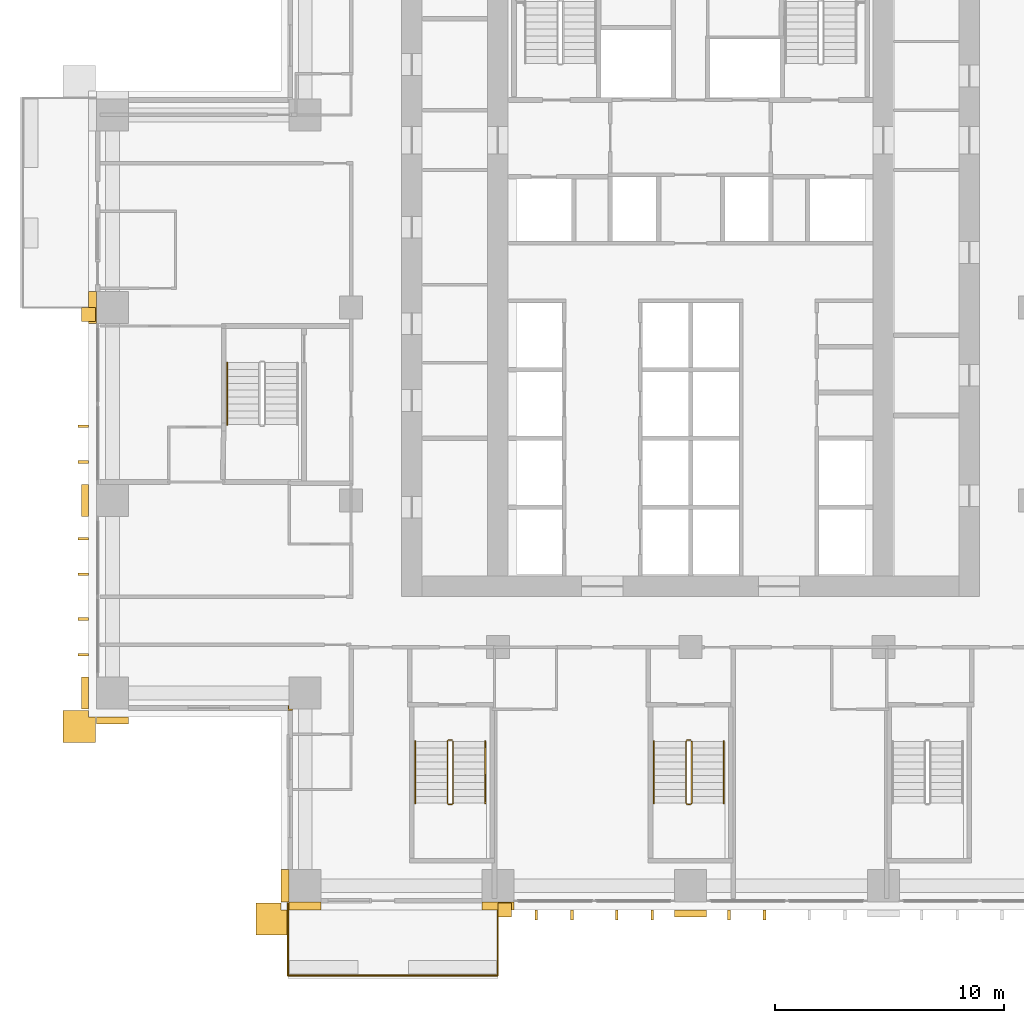
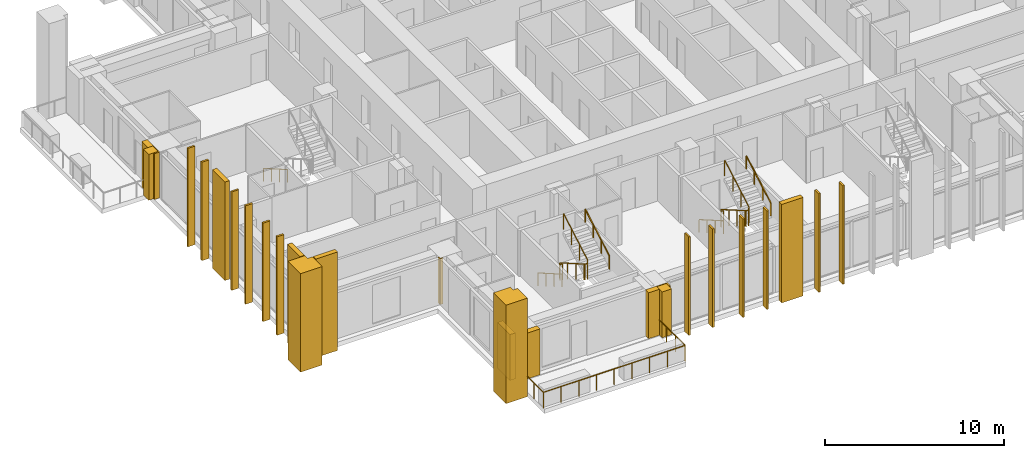
# One storey, part 13 of 17: 25 coverings, 8 railings.
"""IFC4 building model written with IfcOpenShell, lengths in metres."""

from ifc_helpers import new_model, si_unit, direction, frame, origin, origin_2d, place, context, subcontext, project, spatial, polyline, rectangle, outline, extrude, material, layer, layer_set, type_object, element, save


model = new_model("IFC4")

# Units and contexts
model_context = context("Model", 3, precision=1e-05, world=origin(), true_north=direction((0.0, 1.0)))
body_context = subcontext(model_context, "Body", "Model", "MODEL_VIEW")
ifc_project = project(units=[si_unit("LENGTHUNIT", "METRE"), si_unit("AREAUNIT", "SQUARE_METRE"), si_unit("VOLUMEUNIT", "CUBIC_METRE"), si_unit("PLANEANGLEUNIT", "RADIAN"), si_unit("MASSUNIT", "GRAM", prefix="KILO")], contexts=[model_context])

# Site, building, storey
site_placement = place(None, origin())
site = spatial("IfcSite", under=ifc_project, at=site_placement, CompositionType="ELEMENT")
building_placement = place(site_placement, origin())
building = spatial("IfcBuilding", under=site, at=building_placement, Name="Vermilion Ogive Tower", CompositionType="ELEMENT")
storey_placement = place(building_placement, frame((0.0, 0.0, 69.0)))
storey = spatial("IfcBuildingStorey", under=building, at=storey_placement, Name="L16", CompositionType="ELEMENT", Elevation=69.0)

# Railing
ifc_material_1 = material(Name="Stainless steel and glass", Category="steel")
railing_type_1 = type_object("IfcRailingType", Name="Balcony guard", PredefinedType="GUARDRAIL", material=ifc_material_1)
railing_1_placement = place(storey_placement, frame((-17.550048828125, -21.75, -0.0400390625)))
element("IfcRailing", 1, at=railing_1_placement, inside=storey, type_object=railing_type_1, Name="Guard S01", PredefinedType="GUARDRAIL", context=body_context, shape_type="SweptSolid", body=[
    extrude(rectangle(XDim=0.048095703125, YDim=0.048095703125, at=origin_2d()), frame((0.0, 0.0, 1.076171875), z_axis=(0.0, -1.0, 0.0), x_axis=(1.0, 0.0, 0.0)), (0.0, 0.0, 1.0), 3.159912109375),
    extrude(rectangle(XDim=0.048095703125, YDim=0.048095703125, at=origin_2d()), frame((0.0, -3.159912109375, 1.076171875), z_axis=(1.0, 0.0, 0.0), x_axis=(0.0, 1.0, 0.0)), (0.0, 0.0, 1.0), 9.150146484375),
    extrude(rectangle(XDim=0.048095703125, YDim=0.048095703125, at=origin_2d()), frame((9.150146484375, -3.159912109375, 1.076171875), z_axis=(0.0, 1.0, 0.0), x_axis=(-1.0, 0.0, 0.0)), (0.0, 0.0, 1.0), 3.159912109375),
    extrude(rectangle(XDim=0.0419921875, YDim=0.0419921875, at=origin_2d()), origin(), (0.0, 0.0, 1.0), 1.052001953125),
    extrude(rectangle(XDim=0.0419921875, YDim=0.0419921875, at=origin_2d()), frame((0.0, -1.05322265625, 0.0)), (0.0, 0.0, 1.0), 1.052001953125),
    extrude(rectangle(XDim=0.0419921875, YDim=0.0419921875, at=origin_2d()), frame((0.0, -2.106689453125, 0.0)), (0.0, 0.0, 1.0), 1.052001953125),
    extrude(rectangle(XDim=0.0419921875, YDim=0.0419921875, at=origin_2d()), frame((0.0, -3.159912109375, 0.0)), (0.0, 0.0, 1.0), 1.052001953125),
    extrude(rectangle(XDim=0.0419921875, YDim=0.0419921875, at=origin_2d()), frame((1.143798828125, -3.159912109375, 0.0)), (0.0, 0.0, 1.0), 1.052001953125),
    extrude(rectangle(XDim=0.0419921875, YDim=0.0419921875, at=origin_2d()), frame((2.28759765625, -3.159912109375, 0.0)), (0.0, 0.0, 1.0), 1.052001953125),
    extrude(rectangle(XDim=0.0419921875, YDim=0.0419921875, at=origin_2d()), frame((3.431396484375, -3.159912109375, 0.0)), (0.0, 0.0, 1.0), 1.052001953125),
    extrude(rectangle(XDim=0.0419921875, YDim=0.0419921875, at=origin_2d()), frame((4.5751953125, -3.159912109375, 0.0)), (0.0, 0.0, 1.0), 1.052001953125),
    extrude(rectangle(XDim=0.0419921875, YDim=0.0419921875, at=origin_2d()), frame((5.71875, -3.159912109375, 0.0)), (0.0, 0.0, 1.0), 1.052001953125),
    extrude(rectangle(XDim=0.0419921875, YDim=0.0419921875, at=origin_2d()), frame((6.862548828125, -3.159912109375, 0.0)), (0.0, 0.0, 1.0), 1.052001953125),
    extrude(rectangle(XDim=0.0419921875, YDim=0.0419921875, at=origin_2d()), frame((8.00634765625, -3.159912109375, 0.0)), (0.0, 0.0, 1.0), 1.052001953125),
    extrude(rectangle(XDim=0.0419921875, YDim=0.0419921875, at=origin_2d()), frame((9.150146484375, -3.159912109375, 0.0)), (0.0, 0.0, 1.0), 1.052001953125),
    extrude(rectangle(XDim=0.0419921875, YDim=0.0419921875, at=origin_2d()), frame((9.150146484375, -2.106689453125, 0.0)), (0.0, 0.0, 1.0), 1.052001953125),
    extrude(rectangle(XDim=0.0419921875, YDim=0.0419921875, at=origin_2d()), frame((9.150146484375, -1.05322265625, 0.0)), (0.0, 0.0, 1.0), 1.052001953125),
    extrude(rectangle(XDim=0.0419921875, YDim=0.0419921875, at=origin_2d()), frame((9.150146484375, 0.0, 0.0)), (0.0, 0.0, 1.0), 1.052001953125),
])

# Coverings
ifc_material_2 = material(Name="Glazed ceramic screen")
ifc_layer = layer(ifc_material_2, 0.14990234375)
ifc_layer_set = layer_set([ifc_layer], Name="Ceramic solar screen fin")
covering_type_1 = type_object("IfcCoveringType", Name="Ceramic solar screen fin", PredefinedType="CLADDING", material=ifc_layer_set)
covering_1_placement = place(storey_placement, frame((0.0, 0.0, -0.320068359375)))
element("IfcCovering", 2, at=covering_1_placement, inside=storey, type_object=covering_type_1, Name="Solar screen blade S981", PredefinedType="CLADDING", context=body_context, shape_type="SweptSolid", body=[
    extrude(outline(polyline([(-6.784912109375, -22.5), (-6.6650390625, -22.5), (-6.6650390625, -22.050048828125), (-6.784912109375, -22.050048828125), (-6.784912109375, -22.5)])), origin(), (0.0, 0.0, 1.0), 6.719970703125),
])
covering_2_placement = place(storey_placement, frame((0.0, 0.0, -0.320068359375)))
element("IfcCovering", 3, at=covering_2_placement, inside=storey, type_object=covering_type_1, Name="Solar screen blade S982", PredefinedType="CLADDING", context=body_context, shape_type="SweptSolid", body=[
    extrude(outline(polyline([(-5.235107421875, -22.5), (-5.114990234375, -22.5), (-5.114990234375, -22.050048828125), (-5.235107421875, -22.050048828125), (-5.235107421875, -22.5)])), origin(), (0.0, 0.0, 1.0), 6.719970703125),
])
covering_3_placement = place(storey_placement, frame((0.0, 0.0, -0.320068359375)))
element("IfcCovering", 4, at=covering_3_placement, inside=storey, type_object=covering_type_1, Name="Solar screen blade S991", PredefinedType="CLADDING", context=body_context, shape_type="SweptSolid", body=[
    extrude(outline(polyline([(-3.284912109375, -22.5), (-3.1650390625, -22.5), (-3.1650390625, -22.050048828125), (-3.284912109375, -22.050048828125), (-3.284912109375, -22.5)])), origin(), (0.0, 0.0, 1.0), 6.719970703125),
])
covering_4_placement = place(storey_placement, frame((0.0, 0.0, -0.320068359375)))
element("IfcCovering", 5, at=covering_4_placement, inside=storey, type_object=covering_type_1, Name="Solar screen blade S992", PredefinedType="CLADDING", context=body_context, shape_type="SweptSolid", body=[
    extrude(outline(polyline([(-1.735107421875, -22.5), (-1.614990234375, -22.5), (-1.614990234375, -22.050048828125), (-1.735107421875, -22.050048828125), (-1.735107421875, -22.5)])), origin(), (0.0, 0.0, 1.0), 6.719970703125),
])
covering_5_placement = place(storey_placement, frame((0.0, 0.0, -0.320068359375)))
element("IfcCovering", 6, at=covering_5_placement, inside=storey, type_object=covering_type_1, Name="Solar screen blade S001", PredefinedType="CLADDING", context=body_context, shape_type="SweptSolid", body=[
    extrude(outline(polyline([(1.614990234375, -22.5), (1.735107421875, -22.5), (1.735107421875, -22.050048828125), (1.614990234375, -22.050048828125), (1.614990234375, -22.5)])), origin(), (0.0, 0.0, 1.0), 6.719970703125),
])
covering_6_placement = place(storey_placement, frame((0.0, 0.0, -0.320068359375)))
element("IfcCovering", 7, at=covering_6_placement, inside=storey, type_object=covering_type_1, Name="Solar screen blade S002", PredefinedType="CLADDING", context=body_context, shape_type="SweptSolid", body=[
    extrude(outline(polyline([(3.1650390625, -22.5), (3.284912109375, -22.5), (3.284912109375, -22.050048828125), (3.1650390625, -22.050048828125), (3.1650390625, -22.5)])), origin(), (0.0, 0.0, 1.0), 6.719970703125),
])
covering_7_placement = place(storey_placement, frame((0.0, 0.0, -0.320068359375)))
element("IfcCovering", 8, at=covering_7_placement, inside=storey, type_object=covering_type_1, Name="Solar screen blade W991", PredefinedType="CLADDING", context=body_context, shape_type="SweptSolid", body=[
    extrude(outline(polyline([(-26.699951171875, -0.9150390625), (-26.699951171875, -1.034912109375), (-26.25, -1.034912109375), (-26.25, -0.9150390625), (-26.699951171875, -0.9150390625)])), origin(), (0.0, 0.0, 1.0), 6.719970703125),
])
covering_8_placement = place(storey_placement, frame((0.0, 0.0, -0.320068359375)))
element("IfcCovering", 9, at=covering_8_placement, inside=storey, type_object=covering_type_1, Name="Solar screen blade W992", PredefinedType="CLADDING", context=body_context, shape_type="SweptSolid", body=[
    extrude(outline(polyline([(-26.699951171875, -2.465087890625), (-26.699951171875, -2.5849609375), (-26.25, -2.5849609375), (-26.25, -2.465087890625), (-26.699951171875, -2.465087890625)])), origin(), (0.0, 0.0, 1.0), 6.719970703125),
])
covering_9_placement = place(storey_placement, frame((0.0, 0.0, -0.320068359375)))
element("IfcCovering", 10, at=covering_9_placement, inside=storey, type_object=covering_type_1, Name="Solar screen blade W971", PredefinedType="CLADDING", context=body_context, shape_type="SweptSolid", body=[
    extrude(outline(polyline([(-26.699951171875, -9.31494140625), (-26.699951171875, -9.43505859375), (-26.25, -9.43505859375), (-26.25, -9.31494140625), (-26.699951171875, -9.31494140625)])), origin(), (0.0, 0.0, 1.0), 6.719970703125),
])
covering_10_placement = place(storey_placement, frame((0.0, 0.0, -0.320068359375)))
element("IfcCovering", 11, at=covering_10_placement, inside=storey, type_object=covering_type_1, Name="Solar screen blade W972", PredefinedType="CLADDING", context=body_context, shape_type="SweptSolid", body=[
    extrude(outline(polyline([(-26.699951171875, -10.864990234375), (-26.699951171875, -10.985107421875), (-26.25, -10.985107421875), (-26.25, -10.864990234375), (-26.699951171875, -10.864990234375)])), origin(), (0.0, 0.0, 1.0), 6.719970703125),
])
covering_11_placement = place(storey_placement, frame((0.0, 0.0, -0.320068359375)))
element("IfcCovering", 12, at=covering_11_placement, inside=storey, type_object=covering_type_1, Name="Solar screen blade W981", PredefinedType="CLADDING", context=body_context, shape_type="SweptSolid", body=[
    extrude(outline(polyline([(-26.699951171875, -5.81494140625), (-26.699951171875, -5.93505859375), (-26.25, -5.93505859375), (-26.25, -5.81494140625), (-26.699951171875, -5.81494140625)])), origin(), (0.0, 0.0, 1.0), 6.719970703125),
])
covering_12_placement = place(storey_placement, frame((0.0, 0.0, -0.320068359375)))
element("IfcCovering", 13, at=covering_12_placement, inside=storey, type_object=covering_type_1, Name="Solar screen blade W982", PredefinedType="CLADDING", context=body_context, shape_type="SweptSolid", body=[
    extrude(outline(polyline([(-26.699951171875, -7.364990234375), (-26.699951171875, -7.485107421875), (-26.25, -7.485107421875), (-26.25, -7.364990234375), (-26.699951171875, -7.364990234375)])), origin(), (0.0, 0.0, 1.0), 6.719970703125),
])

# Railings
ifc_material_3 = material(Name="Steel S355 painted", Category="steel")
railing_type_2 = type_object("IfcRailingType", Name="Stair guard 1100", PredefinedType="GUARDRAIL", material=ifc_material_3)
railing_2_placement = place(storey_placement, frame((-10.39990234375, -14.64990234375, 0.0)))
element("IfcRailing", 14, at=railing_2_placement, inside=storey, type_object=railing_type_2, Name="L16 ST3 stair guard 4", PredefinedType="GUARDRAIL", context=body_context, shape_type="SweptSolid", body=[
    extrude(rectangle(XDim=0.048095703125, YDim=0.048095703125, at=origin_2d()), frame((0.0, 0.0, 1.076171875), z_axis=(-1.0, 0.0, 0.0), x_axis=(0.0, -1.0, 0.0)), (0.0, 0.0, 1.0), 0.150146484375),
    extrude(rectangle(XDim=0.048095703125, YDim=0.048095703125, at=origin_2d()), frame((-0.150146484375, 0.0, 1.076171875), z_axis=(-0.268277960024, -0.268277960024, 0.925231793839), x_axis=(0.707106781187, -0.707106781187, 0.0)), (0.0, 0.0, 1.0), 0.1865234375),
    extrude(rectangle(XDim=0.048095703125, YDim=0.048095703125, at=origin_2d()), frame((-0.2001953125, -0.050048828125, 1.24853515625), z_axis=(0.0, -0.866903762492, 0.498475542607), x_axis=(1.0, 0.0, 0.0)), (0.0, 0.0, 1.0), 3.114501953125),
    extrude(rectangle(XDim=0.048095703125, YDim=0.048095703125, at=origin_2d()), frame((-0.2001953125, -2.75, 2.80126953125), z_axis=(0.707106781187, -0.707106781187, 0.0), x_axis=(0.707106781187, 0.707106781187, 0.0)), (0.0, 0.0, 1.0), 0.07080078125),
    extrude(rectangle(XDim=0.048095703125, YDim=0.048095703125, at=origin_2d()), frame((-0.150146484375, -2.800048828125, 2.80126953125), z_axis=(1.0, 0.0, 0.0), x_axis=(0.0, 1.0, 0.0)), (0.0, 0.0, 1.0), 0.150146484375),
    extrude(rectangle(XDim=0.048095703125, YDim=0.048095703125, at=origin_2d()), frame((0.0, -2.800048828125, 2.80126953125), z_axis=(0.267386790225, 0.268697509785, 0.925368009307), x_axis=(-0.708833529934, 0.705375805398, 0.0)), (0.0, 0.0, 1.0), 0.186279296875),
    extrude(rectangle(XDim=0.048095703125, YDim=0.048095703125, at=origin_2d()), frame((0.0498046875, -2.75, 2.9736328125), z_axis=(0.0, 0.866903762492, 0.498475542607), x_axis=(-1.0, 0.0, 0.0)), (0.0, 0.0, 1.0), 3.114501953125),
    extrude(rectangle(XDim=0.0419921875, YDim=0.0419921875, at=origin_2d()), origin(), (0.0, 0.0, 1.0), 1.052001953125),
    extrude(rectangle(XDim=0.0419921875, YDim=0.0419921875, at=origin_2d()), frame((-0.150146484375, 0.0, 0.0)), (0.0, 0.0, 1.0), 1.052001953125),
    extrude(rectangle(XDim=0.0419921875, YDim=0.0419921875, at=origin_2d()), frame((-0.2001953125, -0.050048828125, 0.172607421875)), (0.0, 0.0, 1.0), 1.052001953125),
    extrude(rectangle(XDim=0.0419921875, YDim=0.0419921875, at=origin_2d()), frame((-0.2001953125, -0.949951171875, 0.690185546875)), (0.0, 0.0, 1.0), 1.052001953125),
    extrude(rectangle(XDim=0.0419921875, YDim=0.0419921875, at=origin_2d()), frame((-0.2001953125, -1.85009765625, 1.20751953125)), (0.0, 0.0, 1.0), 1.052001953125),
    extrude(rectangle(XDim=0.0419921875, YDim=0.0419921875, at=origin_2d()), frame((-0.2001953125, -2.75, 1.72509765625)), (0.0, 0.0, 1.0), 1.052001953125),
    extrude(rectangle(XDim=0.0419921875, YDim=0.0419921875, at=origin_2d()), frame((-0.150146484375, -2.800048828125, 1.72509765625)), (0.0, 0.0, 1.0), 1.052001953125),
    extrude(rectangle(XDim=0.0419921875, YDim=0.0419921875, at=origin_2d()), frame((0.0, -2.800048828125, 1.72509765625)), (0.0, 0.0, 1.0), 1.052001953125),
    extrude(rectangle(XDim=0.0419921875, YDim=0.0419921875, at=origin_2d()), frame((0.0498046875, -2.75, 1.8974609375)), (0.0, 0.0, 1.0), 1.052001953125),
    extrude(rectangle(XDim=0.0419921875, YDim=0.0419921875, at=origin_2d()), frame((0.0498046875, -1.85009765625, 2.4150390625)), (0.0, 0.0, 1.0), 1.052001953125),
    extrude(rectangle(XDim=0.0419921875, YDim=0.0419921875, at=origin_2d()), frame((0.0498046875, -0.949951171875, 2.932373046875)), (0.0, 0.0, 1.0), 1.052001953125),
    extrude(rectangle(XDim=0.0419921875, YDim=0.0419921875, at=origin_2d()), frame((0.0498046875, -0.050048828125, 3.449951171875)), (0.0, 0.0, 1.0), 1.052001953125),
])
railing_3_placement = place(storey_placement, frame((0.0, -14.64990234375, 0.0)))
element("IfcRailing", 15, at=railing_3_placement, inside=storey, type_object=railing_type_2, Name="L16 ST4 stair guard 4", PredefinedType="GUARDRAIL", context=body_context, shape_type="SweptSolid", body=[
    extrude(rectangle(XDim=0.048095703125, YDim=0.048095703125, at=origin_2d()), frame((0.0, 0.0, 1.076171875), z_axis=(-1.0, 0.0, 0.0), x_axis=(0.0, -1.0, 0.0)), (0.0, 0.0, 1.0), 0.14990234375),
    extrude(rectangle(XDim=0.048095703125, YDim=0.048095703125, at=origin_2d()), frame((-0.14990234375, 0.0, 1.076171875), z_axis=(-0.268277960024, -0.268277960024, 0.925231793839), x_axis=(0.707106781187, -0.707106781187, 0.0)), (0.0, 0.0, 1.0), 0.1865234375),
    extrude(rectangle(XDim=0.048095703125, YDim=0.048095703125, at=origin_2d()), frame((-0.199951171875, -0.050048828125, 1.24853515625), z_axis=(0.0, -0.866903762492, 0.498475542607), x_axis=(1.0, 0.0, 0.0)), (0.0, 0.0, 1.0), 3.114501953125),
    extrude(rectangle(XDim=0.048095703125, YDim=0.048095703125, at=origin_2d()), frame((-0.199951171875, -2.75, 2.80126953125), z_axis=(0.707106781187, -0.707106781187, 0.0), x_axis=(0.707106781187, 0.707106781187, 0.0)), (0.0, 0.0, 1.0), 0.07080078125),
    extrude(rectangle(XDim=0.048095703125, YDim=0.048095703125, at=origin_2d()), frame((-0.14990234375, -2.800048828125, 2.80126953125), z_axis=(1.0, 0.0, 0.0), x_axis=(0.0, 1.0, 0.0)), (0.0, 0.0, 1.0), 0.14990234375),
    extrude(rectangle(XDim=0.048095703125, YDim=0.048095703125, at=origin_2d()), frame((0.0, -2.800048828125, 2.80126953125), z_axis=(0.268603158521, 0.268603158521, 0.925043072762), x_axis=(-0.707106781187, 0.707106781187, 0.0)), (0.0, 0.0, 1.0), 0.186279296875),
    extrude(rectangle(XDim=0.048095703125, YDim=0.048095703125, at=origin_2d()), frame((0.050048828125, -2.75, 2.9736328125), z_axis=(0.0, 0.866903762492, 0.498475542607), x_axis=(-1.0, 0.0, 0.0)), (0.0, 0.0, 1.0), 3.114501953125),
    extrude(rectangle(XDim=0.0419921875, YDim=0.0419921875, at=origin_2d()), origin(), (0.0, 0.0, 1.0), 1.052001953125),
    extrude(rectangle(XDim=0.0419921875, YDim=0.0419921875, at=origin_2d()), frame((-0.14990234375, 0.0, 0.0)), (0.0, 0.0, 1.0), 1.052001953125),
    extrude(rectangle(XDim=0.0419921875, YDim=0.0419921875, at=origin_2d()), frame((-0.199951171875, -0.050048828125, 0.172607421875)), (0.0, 0.0, 1.0), 1.052001953125),
    extrude(rectangle(XDim=0.0419921875, YDim=0.0419921875, at=origin_2d()), frame((-0.199951171875, -0.949951171875, 0.690185546875)), (0.0, 0.0, 1.0), 1.052001953125),
    extrude(rectangle(XDim=0.0419921875, YDim=0.0419921875, at=origin_2d()), frame((-0.199951171875, -1.85009765625, 1.20751953125)), (0.0, 0.0, 1.0), 1.052001953125),
    extrude(rectangle(XDim=0.0419921875, YDim=0.0419921875, at=origin_2d()), frame((-0.199951171875, -2.75, 1.72509765625)), (0.0, 0.0, 1.0), 1.052001953125),
    extrude(rectangle(XDim=0.0419921875, YDim=0.0419921875, at=origin_2d()), frame((-0.14990234375, -2.800048828125, 1.72509765625)), (0.0, 0.0, 1.0), 1.052001953125),
    extrude(rectangle(XDim=0.0419921875, YDim=0.0419921875, at=origin_2d()), frame((0.0, -2.800048828125, 1.72509765625)), (0.0, 0.0, 1.0), 1.052001953125),
    extrude(rectangle(XDim=0.0419921875, YDim=0.0419921875, at=origin_2d()), frame((0.050048828125, -2.75, 1.8974609375)), (0.0, 0.0, 1.0), 1.052001953125),
    extrude(rectangle(XDim=0.0419921875, YDim=0.0419921875, at=origin_2d()), frame((0.050048828125, -1.85009765625, 2.4150390625)), (0.0, 0.0, 1.0), 1.052001953125),
    extrude(rectangle(XDim=0.0419921875, YDim=0.0419921875, at=origin_2d()), frame((0.050048828125, -0.949951171875, 2.932373046875)), (0.0, 0.0, 1.0), 1.052001953125),
    extrude(rectangle(XDim=0.0419921875, YDim=0.0419921875, at=origin_2d()), frame((0.050048828125, -0.050048828125, 3.449951171875)), (0.0, 0.0, 1.0), 1.052001953125),
])
ifc_material_4 = material(Name="Stainless steel", Category="steel")
railing_type_3 = type_object("IfcRailingType", Name="Stair handrail 900", PredefinedType="HANDRAIL", material=ifc_material_4)
railing_4_placement = place(storey_placement, frame((-12.0, -14.699951171875, 0.172607421875)))
element("IfcRailing", 16, at=railing_4_placement, inside=storey, type_object=railing_type_3, Name="L16 ST3 stair handrail 1", PredefinedType="HANDRAIL", context=body_context, shape_type="SweptSolid", body=[
    extrude(rectangle(XDim=0.048095703125, YDim=0.048095703125, at=origin_2d()), frame((0.0, 0.0, 0.8759765625), z_axis=(0.0, -0.866903762492, 0.498475542607), x_axis=(1.0, 0.0, 0.0)), (0.0, 0.0, 1.0), 3.114501953125),
    extrude(rectangle(XDim=0.0419921875, YDim=0.0419921875, at=origin_2d()), origin(), (0.0, 0.0, 1.0), 0.851806640625),
    extrude(rectangle(XDim=0.0419921875, YDim=0.0419921875, at=origin_2d()), frame((0.0, -0.89990234375, 0.517578125)), (0.0, 0.0, 1.0), 0.851806640625),
    extrude(rectangle(XDim=0.0419921875, YDim=0.0419921875, at=origin_2d()), frame((0.0, -1.800048828125, 1.034912109375)), (0.0, 0.0, 1.0), 0.851806640625),
    extrude(rectangle(XDim=0.0419921875, YDim=0.0419921875, at=origin_2d()), frame((0.0, -2.699951171875, 1.552490234375)), (0.0, 0.0, 1.0), 0.851806640625),
])
railing_5_placement = place(storey_placement, frame((-8.949951171875, -17.39990234375, 1.8974609375)))
element("IfcRailing", 17, at=railing_5_placement, inside=storey, type_object=railing_type_3, Name="L16 ST3 stair handrail 2", PredefinedType="HANDRAIL", context=body_context, shape_type="SweptSolid", body=[
    extrude(rectangle(XDim=0.048095703125, YDim=0.048095703125, at=origin_2d()), frame((0.0, 0.0, 0.8759765625), z_axis=(0.0, 0.866903762492, 0.498475542607), x_axis=(-1.0, 0.0, 0.0)), (0.0, 0.0, 1.0), 3.114501953125),
    extrude(rectangle(XDim=0.0419921875, YDim=0.0419921875, at=origin_2d()), origin(), (0.0, 0.0, 1.0), 0.851806640625),
    extrude(rectangle(XDim=0.0419921875, YDim=0.0419921875, at=origin_2d()), frame((0.0, 0.89990234375, 0.517578125)), (0.0, 0.0, 1.0), 0.851806640625),
    extrude(rectangle(XDim=0.0419921875, YDim=0.0419921875, at=origin_2d()), frame((0.0, 1.800048828125, 1.034912109375)), (0.0, 0.0, 1.0), 0.851806640625),
    extrude(rectangle(XDim=0.0419921875, YDim=0.0419921875, at=origin_2d()), frame((0.0, 2.699951171875, 1.552490234375)), (0.0, 0.0, 1.0), 0.851806640625),
])
railing_6_placement = place(storey_placement, frame((-1.60009765625, -14.699951171875, 0.172607421875)))
element("IfcRailing", 18, at=railing_6_placement, inside=storey, type_object=railing_type_3, Name="L16 ST4 stair handrail 1", PredefinedType="HANDRAIL", context=body_context, shape_type="SweptSolid", body=[
    extrude(rectangle(XDim=0.048095703125, YDim=0.048095703125, at=origin_2d()), frame((0.0, 0.0, 0.8759765625), z_axis=(0.0, -0.866903762492, 0.498475542607), x_axis=(1.0, 0.0, 0.0)), (0.0, 0.0, 1.0), 3.114501953125),
    extrude(rectangle(XDim=0.0419921875, YDim=0.0419921875, at=origin_2d()), origin(), (0.0, 0.0, 1.0), 0.851806640625),
    extrude(rectangle(XDim=0.0419921875, YDim=0.0419921875, at=origin_2d()), frame((0.0, -0.89990234375, 0.517578125)), (0.0, 0.0, 1.0), 0.851806640625),
    extrude(rectangle(XDim=0.0419921875, YDim=0.0419921875, at=origin_2d()), frame((0.0, -1.800048828125, 1.034912109375)), (0.0, 0.0, 1.0), 0.851806640625),
    extrude(rectangle(XDim=0.0419921875, YDim=0.0419921875, at=origin_2d()), frame((0.0, -2.699951171875, 1.552490234375)), (0.0, 0.0, 1.0), 0.851806640625),
])
railing_7_placement = place(storey_placement, frame((1.449951171875, -17.39990234375, 1.8974609375)))
element("IfcRailing", 19, at=railing_7_placement, inside=storey, type_object=railing_type_3, Name="L16 ST4 stair handrail 2", PredefinedType="HANDRAIL", context=body_context, shape_type="SweptSolid", body=[
    extrude(rectangle(XDim=0.048095703125, YDim=0.048095703125, at=origin_2d()), frame((0.0, 0.0, 0.8759765625), z_axis=(0.0, 0.866903762492, 0.498475542607), x_axis=(-1.0, 0.0, 0.0)), (0.0, 0.0, 1.0), 3.114501953125),
    extrude(rectangle(XDim=0.0419921875, YDim=0.0419921875, at=origin_2d()), origin(), (0.0, 0.0, 1.0), 0.851806640625),
    extrude(rectangle(XDim=0.0419921875, YDim=0.0419921875, at=origin_2d()), frame((0.0, 0.89990234375, 0.517578125)), (0.0, 0.0, 1.0), 0.851806640625),
    extrude(rectangle(XDim=0.0419921875, YDim=0.0419921875, at=origin_2d()), frame((0.0, 1.800048828125, 1.034912109375)), (0.0, 0.0, 1.0), 0.851806640625),
    extrude(rectangle(XDim=0.0419921875, YDim=0.0419921875, at=origin_2d()), frame((0.0, 2.699951171875, 1.552490234375)), (0.0, 0.0, 1.0), 0.851806640625),
])
railing_8_placement = place(storey_placement, frame((-20.199951171875, 1.800048828125, 0.172607421875)))
element("IfcRailing", 20, at=railing_8_placement, inside=storey, type_object=railing_type_3, Name="L16 ST9 stair handrail 1", PredefinedType="HANDRAIL", context=body_context, shape_type="SweptSolid", body=[
    extrude(rectangle(XDim=0.048095703125, YDim=0.048095703125, at=origin_2d()), frame((0.0, 0.0, 0.8759765625), z_axis=(0.0, -0.866903762492, 0.498475542607), x_axis=(1.0, 0.0, 0.0)), (0.0, 0.0, 1.0), 3.114501953125),
    extrude(rectangle(XDim=0.0419921875, YDim=0.0419921875, at=origin_2d()), origin(), (0.0, 0.0, 1.0), 0.851806640625),
    extrude(rectangle(XDim=0.0419921875, YDim=0.0419921875, at=origin_2d()), frame((0.0, -0.89990234375, 0.517578125)), (0.0, 0.0, 1.0), 0.851806640625),
    extrude(rectangle(XDim=0.0419921875, YDim=0.0419921875, at=origin_2d()), frame((0.0, -1.800048828125, 1.034912109375)), (0.0, 0.0, 1.0), 0.851806640625),
    extrude(rectangle(XDim=0.0419921875, YDim=0.0419921875, at=origin_2d()), frame((0.0, -2.699951171875, 1.552490234375)), (0.0, 0.0, 1.0), 0.851806640625),
])

# Coverings
ifc_material_5 = material(Name="Stone cladding", Category="masonry")
covering_type_2 = type_object("IfcCoveringType", Name="Stone corner buttress", PredefinedType="CLADDING", material=ifc_material_5)
covering_13_placement = place(storey_placement, origin())
element("IfcCovering", 21, at=covering_13_placement, inside=storey, type_object=covering_type_2, Name="Stone crease pier SK", PredefinedType="CLADDING", context=body_context, shape_type="SweptSolid", body=[
    extrude(outline(polyline([(-8.39990234375, -22.35009765625), (-7.800048828125, -22.35009765625), (-7.800048828125, -21.75), (-8.39990234375, -21.75), (-8.39990234375, -22.35009765625)])), origin(), (0.0, 0.0, 1.0), 3.1298828125),
])
covering_14_placement = place(storey_placement, origin())
element("IfcCovering", 22, at=covering_14_placement, inside=storey, type_object=covering_type_2, Name="Stone crease pier WK", PredefinedType="CLADDING", context=body_context, shape_type="SweptSolid", body=[
    extrude(outline(polyline([(-26.550048828125, 4.199951171875), (-26.550048828125, 3.60009765625), (-25.949951171875, 3.60009765625), (-25.949951171875, 4.199951171875), (-26.550048828125, 4.199951171875)])), origin(), (0.0, 0.0, 1.0), 3.1298828125),
])
covering_15_placement = place(storey_placement, frame((0.0, 0.0, -0.320068359375)))
element("IfcCovering", 23, at=covering_15_placement, inside=storey, type_object=covering_type_2, Name="Stone corner buttress S1", PredefinedType="CLADDING", context=body_context, shape_type="SweptSolid", body=[
    extrude(outline(polyline([(-17.85009765625, -22.050048828125), (-17.550048828125, -22.050048828125), (-17.550048828125, -23.14990234375), (-18.949951171875, -23.14990234375), (-18.949951171875, -21.75), (-17.85009765625, -21.75), (-17.85009765625, -22.050048828125)])), origin(), (0.0, 0.0, 1.0), 6.719970703125),
])
covering_16_placement = place(storey_placement, frame((0.0, 0.0, -0.320068359375)))
element("IfcCovering", 24, at=covering_16_placement, inside=storey, type_object=covering_type_2, Name="Stone corner buttress X71", PredefinedType="CLADDING", context=body_context, shape_type="SweptSolid", body=[
    extrude(outline(polyline([(-26.25, -13.35009765625), (-26.25, -13.64990234375), (-25.949951171875, -13.64990234375), (-25.949951171875, -14.75), (-27.35009765625, -14.75), (-27.35009765625, -13.35009765625), (-26.25, -13.35009765625)])), origin(), (0.0, 0.0, 1.0), 6.719970703125),
])
ifc_material_6 = material(Name="Stone cladding", Category="masonry")
covering_type_3 = type_object("IfcCoveringType", Name="Stone pier", PredefinedType="CLADDING", material=ifc_material_6)
covering_17_placement = place(storey_placement, origin())
element("IfcCovering", 25, at=covering_17_placement, inside=storey, type_object=covering_type_3, Name="Stone corner pier X7E1", PredefinedType="CLADDING", context=body_context, shape_type="SweptSolid", body=[
    extrude(outline(polyline([(-17.5, -13.14990234375), (-17.5, -13.300048828125), (-17.35009765625, -13.300048828125), (-17.35009765625, -13.35009765625), (-17.550048828125, -13.35009765625), (-17.550048828125, -13.14990234375), (-17.5, -13.14990234375)])), origin(), (0.0, 0.0, 1.0), 3.1298828125),
])
covering_18_placement = place(storey_placement, frame((0.0, 0.0, -0.320068359375)))
element("IfcCovering", 26, at=covering_18_placement, inside=storey, type_object=covering_type_3, Name="Stone pier P+0000-210", PredefinedType="CLADDING", context=body_context, shape_type="SweptSolid", body=[
    extrude(outline(polyline([(0.699951171875, -22.35009765625), (-0.699951171875, -22.35009765625), (-0.699951171875, -22.050048828125), (0.699951171875, -22.050048828125), (0.699951171875, -22.35009765625)])), origin(), (0.0, 0.0, 1.0), 6.719970703125),
])
covering_19_placement = place(storey_placement, frame((0.0, 0.0, -0.320068359375)))
element("IfcCovering", 27, at=covering_19_placement, inside=storey, type_object=covering_type_3, Name="Stone pier P-0252-042", PredefinedType="CLADDING", context=body_context, shape_type="SweptSolid", body=[
    extrude(outline(polyline([(-26.550048828125, -4.89990234375), (-26.550048828125, -3.5), (-26.25, -3.5), (-26.25, -4.89990234375), (-26.550048828125, -4.89990234375)])), origin(), (0.0, 0.0, 1.0), 6.719970703125),
])
covering_20_placement = place(storey_placement, frame((0.0, 0.0, -0.320068359375)))
element("IfcCovering", 28, at=covering_20_placement, inside=storey, type_object=covering_type_3, Name="Stone pier P-0252-126W", PredefinedType="CLADDING", context=body_context, shape_type="SweptSolid", body=[
    extrude(outline(polyline([(-26.550048828125, -13.300048828125), (-26.550048828125, -11.89990234375), (-26.25, -11.89990234375), (-26.25, -13.300048828125), (-26.550048828125, -13.300048828125)])), origin(), (0.0, 0.0, 1.0), 6.719970703125),
])
covering_21_placement = place(storey_placement, frame((0.0, 0.0, -0.320068359375)))
element("IfcCovering", 29, at=covering_21_placement, inside=storey, type_object=covering_type_3, Name="Stone pier P-0252-126X7", PredefinedType="CLADDING", context=body_context, shape_type="SweptSolid", body=[
    extrude(outline(polyline([(-25.89990234375, -13.949951171875), (-25.89990234375, -13.64990234375), (-24.5, -13.64990234375), (-24.5, -13.949951171875), (-25.89990234375, -13.949951171875)])), origin(), (0.0, 0.0, 1.0), 6.719970703125),
])
covering_22_placement = place(storey_placement, origin())
element("IfcCovering", 30, at=covering_22_placement, inside=storey, type_object=covering_type_3, Name="Stone pier P-0084-210", PredefinedType="CLADDING", context=body_context, shape_type="SweptSolid", body=[
    extrude(outline(polyline([(-7.699951171875, -22.050048828125), (-7.800048828125, -22.050048828125), (-7.800048828125, -21.75), (-8.39990234375, -21.75), (-8.39990234375, -22.050048828125), (-9.10009765625, -22.050048828125), (-9.10009765625, -21.699951171875), (-7.699951171875, -21.699951171875), (-7.699951171875, -22.050048828125)])), origin(), (0.0, 0.0, 1.0), 3.1298828125),
])
covering_23_placement = place(storey_placement, origin())
element("IfcCovering", 31, at=covering_23_placement, inside=storey, type_object=covering_type_3, Name="Stone pier P-0168-210S", PredefinedType="CLADDING", context=body_context, shape_type="SweptSolid", body=[
    extrude(outline(polyline([(-16.10009765625, -22.050048828125), (-17.5, -22.050048828125), (-17.5, -21.699951171875), (-16.10009765625, -21.699951171875), (-16.10009765625, -22.050048828125)])), origin(), (0.0, 0.0, 1.0), 3.1298828125),
])
covering_24_placement = place(storey_placement, origin())
element("IfcCovering", 32, at=covering_24_placement, inside=storey, type_object=covering_type_3, Name="Stone pier P-0168-210X8", PredefinedType="CLADDING", context=body_context, shape_type="SweptSolid", body=[
    extrude(outline(polyline([(-17.85009765625, -20.300048828125), (-17.5, -20.300048828125), (-17.5, -21.699951171875), (-17.85009765625, -21.699951171875), (-17.85009765625, -20.300048828125)])), origin(), (0.0, 0.0, 1.0), 3.1298828125),
])
covering_25_placement = place(storey_placement, origin())
element("IfcCovering", 33, at=covering_25_placement, inside=storey, type_object=covering_type_3, Name="Stone pier P-0252+042", PredefinedType="CLADDING", context=body_context, shape_type="SweptSolid", body=[
    extrude(outline(polyline([(-26.25, 3.5), (-26.25, 3.60009765625), (-25.949951171875, 3.60009765625), (-25.949951171875, 4.199951171875), (-26.25, 4.199951171875), (-26.25, 4.89990234375), (-25.89990234375, 4.89990234375), (-25.89990234375, 3.5), (-26.25, 3.5)])), origin(), (0.0, 0.0, 1.0), 3.1298828125),
])

save(model, "model.ifc")
